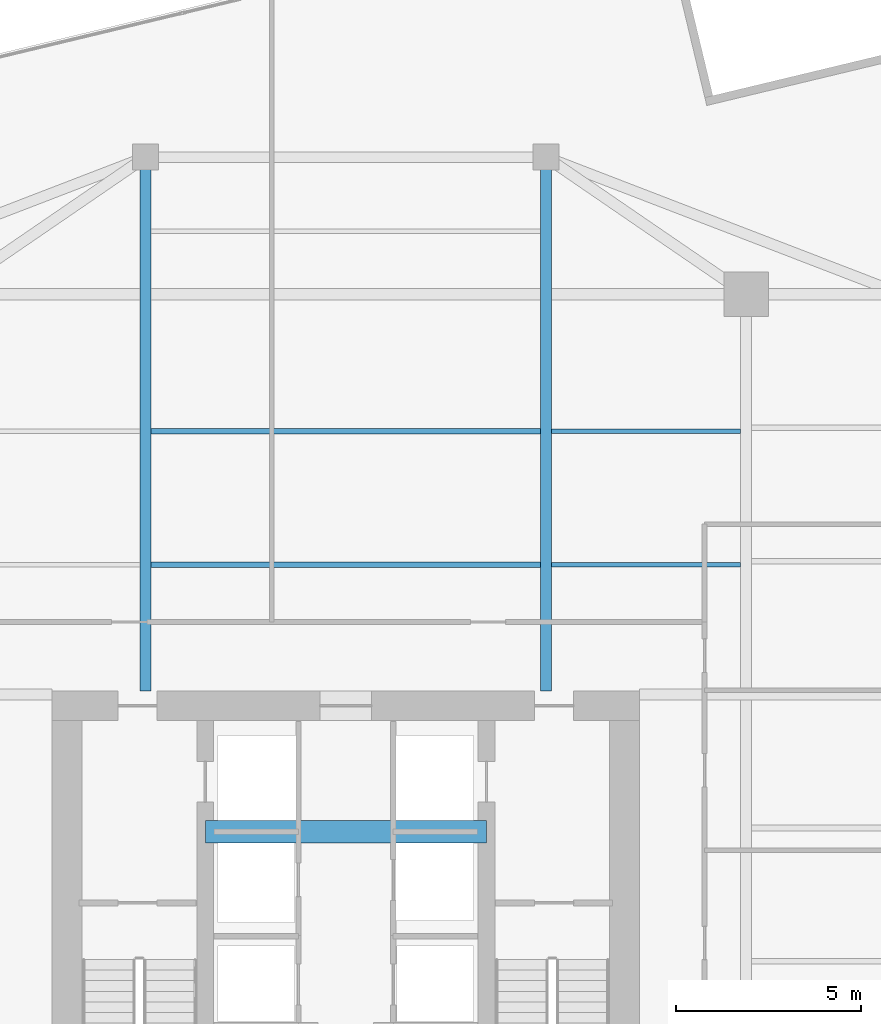
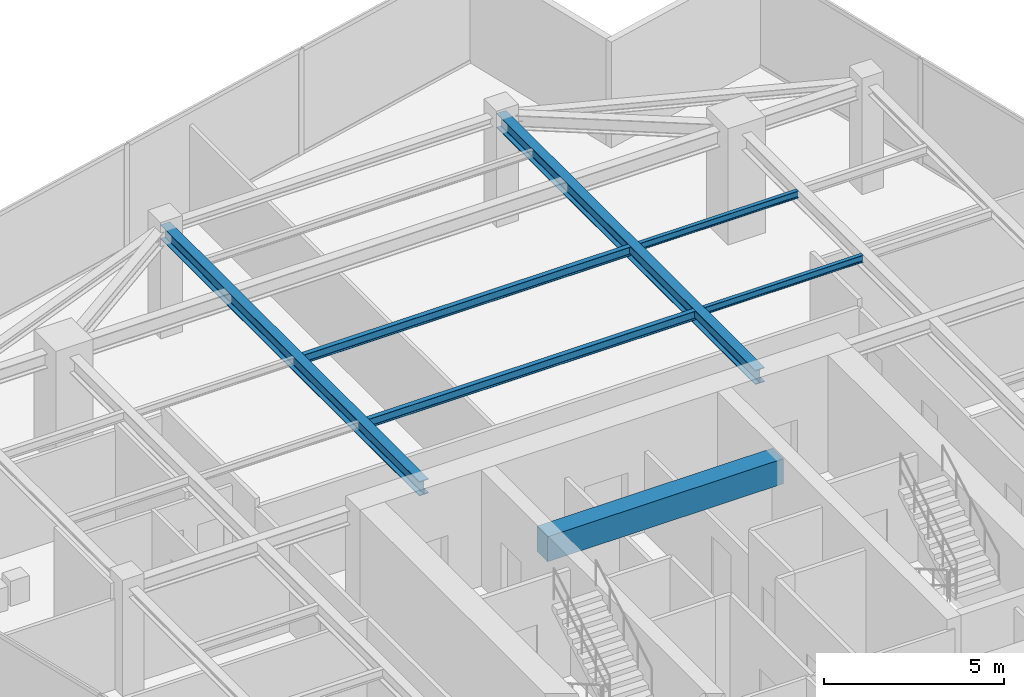
# One storey, part 8 of 22: 7 beams.
"""IFC4 building model written with IfcOpenShell, lengths in metres."""

from ifc_helpers import new_model, si_unit, direction, frame, origin, origin_2d, place, context, subcontext, project, spatial, rectangle, i_section, extrude, source, transform, mapped, material, material_profile, profile_set, type_object, type_shapes, element, save


model = new_model("IFC4")

# Units and contexts
model_context = context("Model", 3, precision=1e-05, world=origin(), true_north=direction((0.0, 1.0)))
body_context = subcontext(model_context, "Body", "Model", "MODEL_VIEW")
ifc_project = project(units=[si_unit("LENGTHUNIT", "METRE"), si_unit("AREAUNIT", "SQUARE_METRE"), si_unit("VOLUMEUNIT", "CUBIC_METRE"), si_unit("PLANEANGLEUNIT", "RADIAN"), si_unit("MASSUNIT", "GRAM", prefix="KILO")], contexts=[model_context])

# Site, building, storey
site_placement = place(None, origin())
site = spatial("IfcSite", under=ifc_project, at=site_placement, CompositionType="ELEMENT")
building_placement = place(site_placement, origin())
building = spatial("IfcBuilding", under=site, at=building_placement, Name="Krantzveldt Concourse Tower", CompositionType="ELEMENT")
storey_placement = place(building_placement, frame((0.0, 0.0, 359.300048828125)))
storey = spatial("IfcBuildingStorey", under=building, at=storey_placement, Name="L88", CompositionType="ELEMENT", Elevation=359.300048828125)

# Beams
ifc_material_1 = material(Name="Steel S355JR", Category="steel")
ifc_material_profile_1 = material_profile(ifc_material_1, i_section(OverallWidth=0.300048828125, OverallDepth=0.489990234375, WebThickness=0.011962890625, FlangeThickness=0.02294921875, FilletRadius=0.027099609375, at=origin_2d()), Name="Steel S355JR", Category="steel")
ifc_profile_set_1 = profile_set([ifc_material_profile_1], Name="Steel S355JR - HEA 500")
beam_type_1 = type_object("IfcBeamType", Name="BM-B-HEA500", PredefinedType="BEAM", material=ifc_profile_set_1)
shared_shape_1 = source(origin(), body_context, "Body", "SweptSolid", [
    extrude(i_section(OverallWidth=0.300048828125, OverallDepth=0.489990234375, WebThickness=0.011962890625, FlangeThickness=0.02294921875, FilletRadius=0.027099609375, at=origin_2d()), origin(), (0.0, 0.0, 1.0), 14.39990234375),
])
type_shapes(beam_type_1, [shared_shape_1])
for number, where, z_axis, x_axis, name in (
    (1, (30.60009765625, 26.800048828125, 3.35498046875), (0.0, 1.0, 0.0), (-1.0, 0.0, 0.0), "L88 Tower Girder BG-CNW"),
    (2, (41.39990234375, 26.800048828125, 3.35498046875), (0.0, 1.0, 0.0), (-1.0, 0.0, 0.0), "L88 Tower Girder BG-CNE"),
):
    element("IfcBeam", number, at=place(storey_placement, frame(where, z_axis=z_axis, x_axis=x_axis)), inside=storey, type_object=beam_type_1, Name=name, PredefinedType="BEAM", context=body_context, shape_type="MappedRepresentation", body=[
        mapped(shared_shape_1, transform((0.0, 0.0, 0.0), x_axis=(1.0, 0.0, 0.0), y_axis=(0.0, 1.0, 0.0), z_axis=(0.0, 0.0, 1.0), scale=1.0)),
    ])
ifc_material_profile_2 = material_profile(ifc_material_1, i_section(OverallWidth=0.14990234375, OverallDepth=0.300048828125, WebThickness=0.007080078125, FlangeThickness=0.0107421875, FilletRadius=0.014892578125, at=origin_2d()), Name="Steel S355JR", Category="steel")
ifc_profile_set_2 = profile_set([ifc_material_profile_2], Name="Steel S355JR - IPE 300")
beam_type_2 = type_object("IfcBeamType", Name="BM-J-IPE300", PredefinedType="JOIST", material=ifc_profile_set_2)
shared_shape_2 = source(origin(), body_context, "Body", "SweptSolid", [
    extrude(i_section(OverallWidth=0.14990234375, OverallDepth=0.300048828125, WebThickness=0.007080078125, FlangeThickness=0.0107421875, FilletRadius=0.014892578125, at=origin_2d()), origin(), (0.0, 0.0, 1.0), 10.5),
])
type_shapes(beam_type_2, [shared_shape_2])
for number, where, z_axis, x_axis, name in (
    (3, (30.75, 30.199951171875, 3.449951171875), (1.0, 0.0, 0.0), (0.0, 1.0, 0.0), "L88 Secondary Floor Joist JN-C1"),
    (4, (30.75, 33.800048828125, 3.449951171875), (1.0, 0.0, 0.0), (0.0, 1.0, 0.0), "L88 Secondary Floor Joist JN-C2"),
):
    element("IfcBeam", number, at=place(storey_placement, frame(where, z_axis=z_axis, x_axis=x_axis)), inside=storey, type_object=beam_type_2, Name=name, PredefinedType="JOIST", context=body_context, shape_type="MappedRepresentation", body=[
        mapped(shared_shape_2, transform((0.0, 0.0, 0.0), x_axis=(1.0, 0.0, 0.0), y_axis=(0.0, 1.0, 0.0), z_axis=(0.0, 0.0, 1.0), scale=1.0)),
    ])
ifc_material_2 = material(Name="Concrete C50/60", Category="concrete")
ifc_material_profile_3 = material_profile(ifc_material_2, rectangle(XDim=0.60009765625, YDim=0.85009765625, at=origin_2d()), Name="Concrete C50/60", Category="concrete")
ifc_profile_set_3 = profile_set([ifc_material_profile_3], Name="Concrete C50/60 - RC-CB 600x850")
beam_type_3 = type_object("IfcBeamType", Name="BM-CB-850", PredefinedType="LINTEL", material=ifc_profile_set_3)
shared_shape_3 = source(origin(), body_context, "Body", "SweptSolid", [
    extrude(rectangle(XDim=0.60009765625, YDim=0.85009765625, at=origin_2d()), origin(), (0.0, 0.0, 1.0), 7.580078125),
])
type_shapes(beam_type_3, [shared_shape_3])
beam_placement = place(storey_placement, frame((32.2099609375, 23.0, 3.175048828125), z_axis=(1.0, 0.0, 0.0), x_axis=(0.0, 1.0, 0.0)))
element("IfcBeam", 5, at=beam_placement, inside=storey, type_object=beam_type_3, Name="CB-L88-01", PredefinedType="LINTEL", context=body_context, shape_type="MappedRepresentation", body=[
    mapped(shared_shape_3, transform((0.0, 0.0, 0.0), x_axis=(1.0, 0.0, 0.0), y_axis=(0.0, 1.0, 0.0), z_axis=(0.0, 0.0, 1.0), scale=1.0)),
])
ifc_material_profile_4 = material_profile(ifc_material_1, i_section(OverallWidth=0.1201171875, OverallDepth=0.239990234375, WebThickness=0.006103515625, FlangeThickness=0.009765625, FilletRadius=0.014892578125, at=origin_2d()), Name="Steel S355JR", Category="steel")
ifc_profile_set_4 = profile_set([ifc_material_profile_4], Name="Steel S355JR - IPE 240")
beam_type_4 = type_object("IfcBeamType", Name="BM-LN-IPE240", PredefinedType="LINTEL", material=ifc_profile_set_4)
shared_shape_4 = source(origin(), body_context, "Body", "SweptSolid", [
    extrude(i_section(OverallWidth=0.1201171875, OverallDepth=0.239990234375, WebThickness=0.006103515625, FlangeThickness=0.009765625, FilletRadius=0.014892578125, at=origin_2d()), origin(), (0.0, 0.0, 1.0), 5.099853515625),
])
type_shapes(beam_type_4, [shared_shape_4])
for number, where, z_axis, x_axis, name in (
    (6, (41.550048828125, 30.199951171875, 3.47998046875), (1.0, 0.0, 0.0), (0.0, 1.0, 0.0), "L88 Secondary Floor Joist JN-E1"),
    (7, (41.550048828125, 33.800048828125, 3.47998046875), (1.0, 0.0, 0.0), (0.0, 1.0, 0.0), "L88 Secondary Floor Joist JN-E2"),
):
    element("IfcBeam", number, at=place(storey_placement, frame(where, z_axis=z_axis, x_axis=x_axis)), inside=storey, type_object=beam_type_4, Name=name, PredefinedType="LINTEL", context=body_context, shape_type="MappedRepresentation", body=[
        mapped(shared_shape_4, transform((0.0, 0.0, 0.0), x_axis=(1.0, 0.0, 0.0), y_axis=(0.0, 1.0, 0.0), z_axis=(0.0, 0.0, 1.0), scale=1.0)),
    ])

save(model, "model.ifc")
